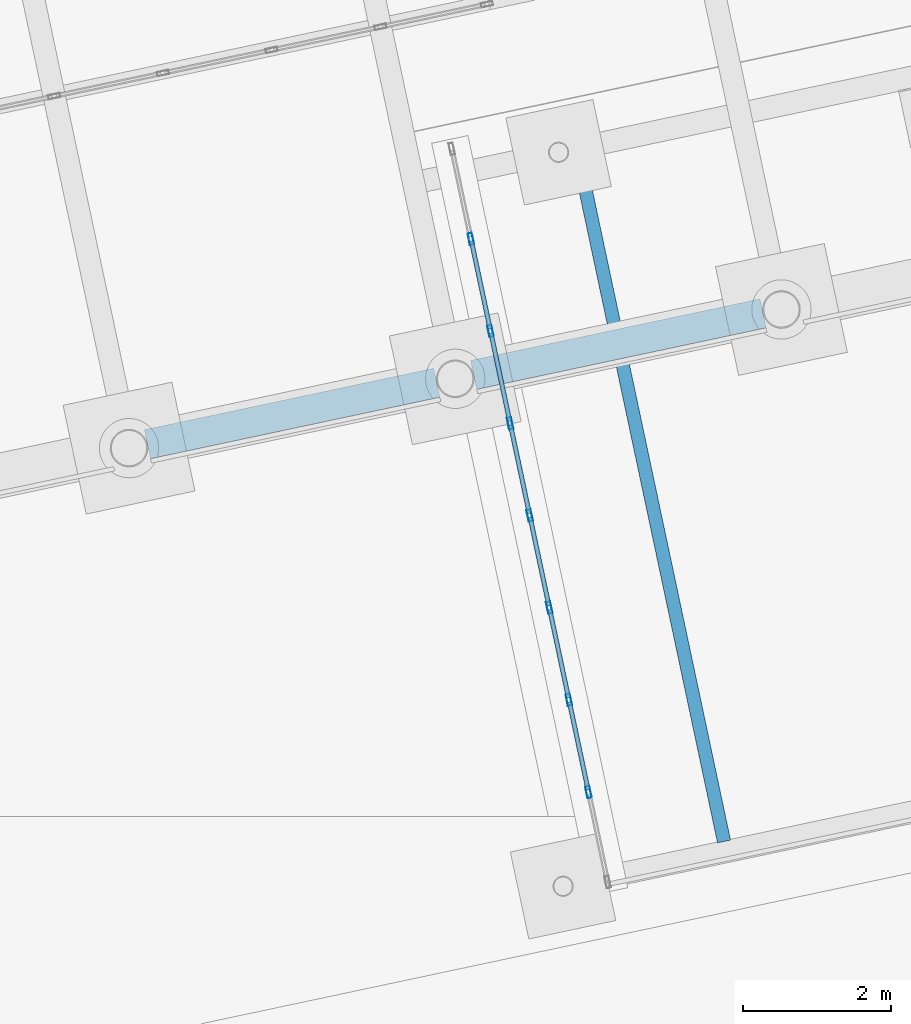
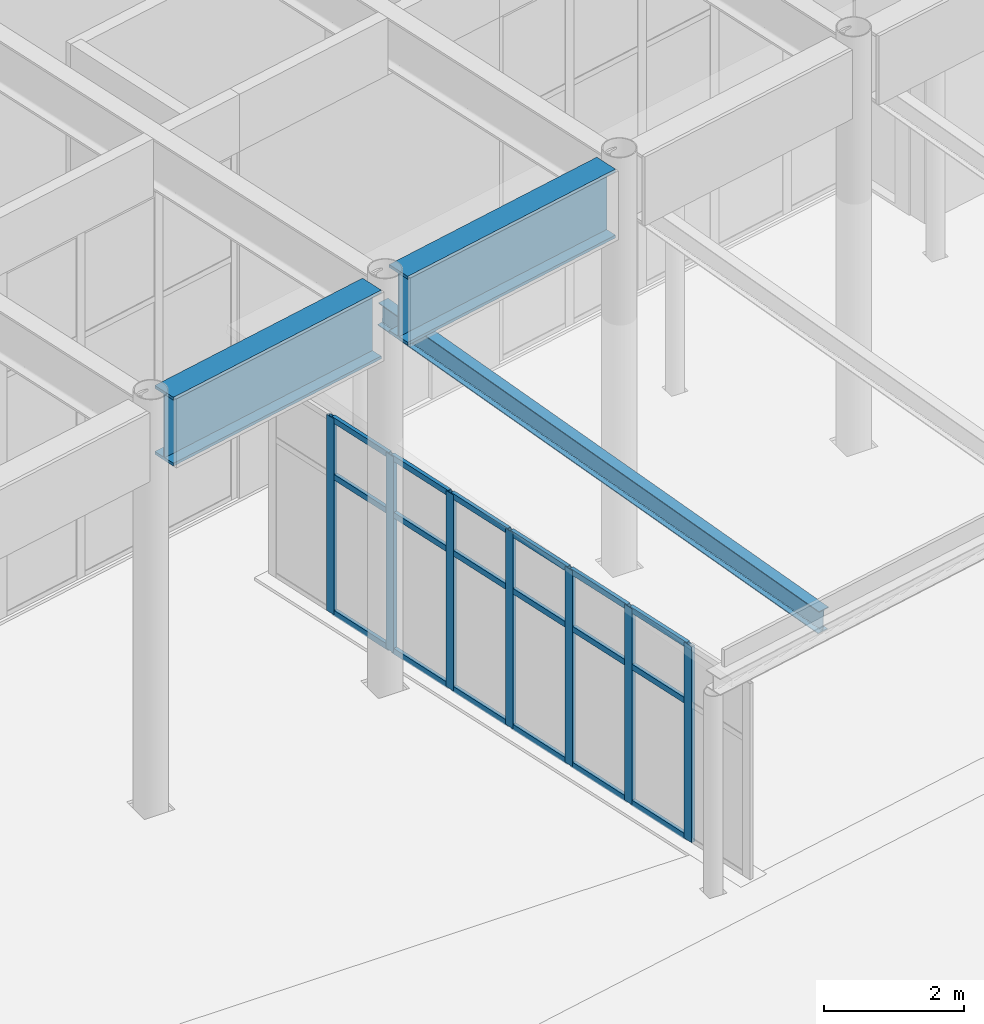
# One storey, part 65 of 239: 25 members, 3 beams, 1 element without a shape of its own.
"""IFC4 building model written with IfcOpenShell, lengths in metres."""

from ifc_helpers import new_model, si_unit, direction, frame, origin, origin_2d, place, context, subcontext, project, spatial, hollow_rectangle, i_section, extrude, material, material_profile, profile_set, type_object, element, aggregate, save


model = new_model("IFC4")

# Units and contexts
model_context = context("Model", 3, precision=1e-05, world=origin(), true_north=direction((0.0, 1.0)))
body_context = subcontext(model_context, "Body", "Model", "MODEL_VIEW")
ifc_project = project(units=[si_unit("LENGTHUNIT", "METRE"), si_unit("AREAUNIT", "SQUARE_METRE"), si_unit("VOLUMEUNIT", "CUBIC_METRE"), si_unit("PLANEANGLEUNIT", "RADIAN"), si_unit("MASSUNIT", "GRAM", prefix="KILO")], contexts=[model_context])

# Site, building, storey
site_placement = place(None, origin())
site = spatial("IfcSite", under=ifc_project, at=site_placement, CompositionType="ELEMENT")
building_placement = place(site_placement, origin())
building = spatial("IfcBuilding", under=site, at=building_placement, Name="Okhra Congress Centre", CompositionType="ELEMENT")
storey_placement = place(building_placement, origin())
storey = spatial("IfcBuildingStorey", under=building, at=storey_placement, Name="L00", CompositionType="ELEMENT", Elevation=0.0)

# Curtain wall, members
ifc_material_1 = material(Name="Aluminium curtain wall, triple glazing", Category="aluminium")
curtain_wall_type = type_object("IfcCurtainWallType", Name="Curtain wall 1200 module", PredefinedType="NOTDEFINED", material=ifc_material_1)
curtain_wall_placement = place(storey_placement, origin())
curtain_wall = element("IfcCurtainWall", 1, at=curtain_wall_placement, inside=storey, type_object=curtain_wall_type, Name="Porch glazed side 1", PredefinedType="NOTDEFINED")
ifc_material_2 = material(Name="Aluminium alloy EN AW-6063 T66", Category="aluminium")
ifc_material_profile_1 = material_profile(ifc_material_2, hollow_rectangle(XDim=0.06005859375, YDim=0.159912109375, WallThickness=0.00390625, at=origin_2d()), Name="RHS 60x160x4")
ifc_profile_set_1 = profile_set([ifc_material_profile_1], Name="Aluminium alloy EN AW-6063 T66")
member_type_1 = type_object("IfcMemberType", Name="Curtain wall mullion 60x160", PredefinedType="MULLION", material=ifc_profile_set_1)
member_1_placement = place(storey_placement, frame((124.432861328125, 34.33154296875, 0.0), z_axis=(0.0, 0.0, 1.0), x_axis=(-0.978147600734, -0.207911690818, 0.0)))
member_1 = element("IfcMember", 2, at=member_1_placement, type_object=member_type_1, Name="CW8 mullion 2", PredefinedType="MULLION", context=body_context, shape_type="SweptSolid", body=[
    extrude(hollow_rectangle(XDim=0.06005859375, YDim=0.159912109375, WallThickness=0.00390625, at=origin_2d()), origin(), (0.0, 0.0, 1.0), 3.415771484375),
])
member_2_placement = place(storey_placement, frame((124.16845703125, 35.57568359375, 0.0), z_axis=(0.0, 0.0, 1.0), x_axis=(-0.978147600734, -0.207911690818, 0.0)))
member_2 = element("IfcMember", 3, at=member_2_placement, type_object=member_type_1, Name="CW8 mullion 3", PredefinedType="MULLION", context=body_context, shape_type="SweptSolid", body=[
    extrude(hollow_rectangle(XDim=0.06005859375, YDim=0.159912109375, WallThickness=0.00390625, at=origin_2d()), origin(), (0.0, 0.0, 1.0), 3.415771484375),
])
member_3_placement = place(storey_placement, frame((123.904052734375, 36.81982421875, 0.0), z_axis=(0.0, 0.0, 1.0), x_axis=(-0.978147600734, -0.207911690818, 0.0)))
member_3 = element("IfcMember", 4, at=member_3_placement, type_object=member_type_1, Name="CW8 mullion 4", PredefinedType="MULLION", context=body_context, shape_type="SweptSolid", body=[
    extrude(hollow_rectangle(XDim=0.06005859375, YDim=0.159912109375, WallThickness=0.00390625, at=origin_2d()), origin(), (0.0, 0.0, 1.0), 3.415771484375),
])
member_4_placement = place(storey_placement, frame((123.6396484375, 38.06396484375, 0.0), z_axis=(0.0, 0.0, 1.0), x_axis=(-0.978147600734, -0.207911690818, 0.0)))
member_4 = element("IfcMember", 5, at=member_4_placement, type_object=member_type_1, Name="CW8 mullion 5", PredefinedType="MULLION", context=body_context, shape_type="SweptSolid", body=[
    extrude(hollow_rectangle(XDim=0.06005859375, YDim=0.159912109375, WallThickness=0.00390625, at=origin_2d()), origin(), (0.0, 0.0, 1.0), 3.415771484375),
])
member_5_placement = place(storey_placement, frame((123.375244140625, 39.307861328125, 0.0), z_axis=(0.0, 0.0, 1.0), x_axis=(-0.978147600734, -0.207911690818, 0.0)))
member_5 = element("IfcMember", 6, at=member_5_placement, type_object=member_type_1, Name="CW8 mullion 6", PredefinedType="MULLION", context=body_context, shape_type="SweptSolid", body=[
    extrude(hollow_rectangle(XDim=0.06005859375, YDim=0.159912109375, WallThickness=0.00390625, at=origin_2d()), origin(), (0.0, 0.0, 1.0), 3.415771484375),
])
member_6_placement = place(storey_placement, frame((123.11083984375, 40.552001953125, 0.0), z_axis=(0.0, 0.0, 1.0), x_axis=(-0.978147600734, -0.207911690818, 0.0)))
member_6 = element("IfcMember", 7, at=member_6_placement, type_object=member_type_1, Name="CW8 mullion 7", PredefinedType="MULLION", context=body_context, shape_type="SweptSolid", body=[
    extrude(hollow_rectangle(XDim=0.06005859375, YDim=0.159912109375, WallThickness=0.00390625, at=origin_2d()), origin(), (0.0, 0.0, 1.0), 3.415771484375),
])
member_7_placement = place(storey_placement, frame((122.84619140625, 41.796142578125, 0.0), z_axis=(0.0, 0.0, 1.0), x_axis=(-0.978147600734, -0.207911690818, 0.0)))
member_7 = element("IfcMember", 8, at=member_7_placement, type_object=member_type_1, Name="CW8 mullion 8", PredefinedType="MULLION", context=body_context, shape_type="SweptSolid", body=[
    extrude(hollow_rectangle(XDim=0.06005859375, YDim=0.159912109375, WallThickness=0.00390625, at=origin_2d()), origin(), (0.0, 0.0, 1.0), 3.415771484375),
])
ifc_material_profile_2 = material_profile(ifc_material_2, hollow_rectangle(XDim=0.06005859375, YDim=0.10009765625, WallThickness=0.00390625, at=origin_2d()), Name="RHS 60x100x4")
ifc_profile_set_2 = profile_set([ifc_material_profile_2], Name="Aluminium alloy EN AW-6063 T66")
member_type_2 = type_object("IfcMemberType", Name="Curtain wall transom 60x100", PredefinedType="USERDEFINED", material=ifc_profile_set_2)
member_8_placement = place(storey_placement, frame((124.4267578125, 34.361083984375, 0.030029296875), z_axis=(-0.207918995191, 0.978146048113, 0.0), x_axis=(-0.978146048113, -0.207918995191, 0.0)))
member_8 = element("IfcMember", 9, at=member_8_placement, type_object=member_type_2, Name="CW8 transom 2.1", ObjectType="TRANSOM", PredefinedType="USERDEFINED", context=body_context, shape_type="SweptSolid", body=[
    extrude(hollow_rectangle(XDim=0.06005859375, YDim=0.10009765625, WallThickness=0.00390625, at=origin_2d()), origin(), (0.0, 0.0, 1.0), 1.211669921875),
])
member_9_placement = place(storey_placement, frame((124.4267578125, 34.361083984375, 2.39990234375), z_axis=(-0.207918995191, 0.978146048113, 0.0), x_axis=(-0.978146048113, -0.207918995191, 0.0)))
member_9 = element("IfcMember", 10, at=member_9_placement, type_object=member_type_2, Name="CW8 transom 2.2", ObjectType="TRANSOM", PredefinedType="USERDEFINED", context=body_context, shape_type="SweptSolid", body=[
    extrude(hollow_rectangle(XDim=0.06005859375, YDim=0.10009765625, WallThickness=0.00390625, at=origin_2d()), origin(), (0.0, 0.0, 1.0), 1.211669921875),
])
member_10_placement = place(storey_placement, frame((124.4267578125, 34.361083984375, 3.3857421875), z_axis=(-0.207918995191, 0.978146048113, 0.0), x_axis=(-0.978146048113, -0.207918995191, 0.0)))
member_10 = element("IfcMember", 11, at=member_10_placement, type_object=member_type_2, Name="CW8 transom 2.3", ObjectType="TRANSOM", PredefinedType="USERDEFINED", context=body_context, shape_type="SweptSolid", body=[
    extrude(hollow_rectangle(XDim=0.06005859375, YDim=0.10009765625, WallThickness=0.00390625, at=origin_2d()), origin(), (0.0, 0.0, 1.0), 1.211669921875),
])
member_11_placement = place(storey_placement, frame((124.162353515625, 35.60498046875, 0.030029296875), z_axis=(-0.208070744252, 0.978113779366, 0.0), x_axis=(-0.978113779366, -0.208070744252, 0.0)))
member_11 = element("IfcMember", 12, at=member_11_placement, type_object=member_type_2, Name="CW8 transom 3.1", ObjectType="TRANSOM", PredefinedType="USERDEFINED", context=body_context, shape_type="SweptSolid", body=[
    extrude(hollow_rectangle(XDim=0.06005859375, YDim=0.10009765625, WallThickness=0.00390625, at=origin_2d()), origin(), (0.0, 0.0, 1.0), 1.212158203125),
])
member_12_placement = place(storey_placement, frame((124.162353515625, 35.60498046875, 2.39990234375), z_axis=(-0.208070744252, 0.978113779366, 0.0), x_axis=(-0.978113779366, -0.208070744252, 0.0)))
member_12 = element("IfcMember", 13, at=member_12_placement, type_object=member_type_2, Name="CW8 transom 3.2", ObjectType="TRANSOM", PredefinedType="USERDEFINED", context=body_context, shape_type="SweptSolid", body=[
    extrude(hollow_rectangle(XDim=0.06005859375, YDim=0.10009765625, WallThickness=0.00390625, at=origin_2d()), origin(), (0.0, 0.0, 1.0), 1.212158203125),
])
member_13_placement = place(storey_placement, frame((124.162353515625, 35.60498046875, 3.3857421875), z_axis=(-0.208070744252, 0.978113779366, 0.0), x_axis=(-0.978113779366, -0.208070744252, 0.0)))
member_13 = element("IfcMember", 14, at=member_13_placement, type_object=member_type_2, Name="CW8 transom 3.3", ObjectType="TRANSOM", PredefinedType="USERDEFINED", context=body_context, shape_type="SweptSolid", body=[
    extrude(hollow_rectangle(XDim=0.06005859375, YDim=0.10009765625, WallThickness=0.00390625, at=origin_2d()), origin(), (0.0, 0.0, 1.0), 1.212158203125),
])
member_14_placement = place(storey_placement, frame((123.897705078125, 36.84912109375, 0.030029296875), z_axis=(-0.207878028706, 0.978154755231, 0.0), x_axis=(-0.978154755231, -0.207878028706, 0.0)))
member_14 = element("IfcMember", 15, at=member_14_placement, type_object=member_type_2, Name="CW8 transom 4.1", ObjectType="TRANSOM", PredefinedType="USERDEFINED", context=body_context, shape_type="SweptSolid", body=[
    extrude(hollow_rectangle(XDim=0.06005859375, YDim=0.10009765625, WallThickness=0.00390625, at=origin_2d()), origin(), (0.0, 0.0, 1.0), 1.2119140625),
])
member_15_placement = place(storey_placement, frame((123.897705078125, 36.84912109375, 2.39990234375), z_axis=(-0.207878028706, 0.978154755231, 0.0), x_axis=(-0.978154755231, -0.207878028706, 0.0)))
member_15 = element("IfcMember", 16, at=member_15_placement, type_object=member_type_2, Name="CW8 transom 4.2", ObjectType="TRANSOM", PredefinedType="USERDEFINED", context=body_context, shape_type="SweptSolid", body=[
    extrude(hollow_rectangle(XDim=0.06005859375, YDim=0.10009765625, WallThickness=0.00390625, at=origin_2d()), origin(), (0.0, 0.0, 1.0), 1.2119140625),
])
member_16_placement = place(storey_placement, frame((123.897705078125, 36.84912109375, 3.3857421875), z_axis=(-0.207878028706, 0.978154755231, 0.0), x_axis=(-0.978154755231, -0.207878028706, 0.0)))
member_16 = element("IfcMember", 17, at=member_16_placement, type_object=member_type_2, Name="CW8 transom 4.3", ObjectType="TRANSOM", PredefinedType="USERDEFINED", context=body_context, shape_type="SweptSolid", body=[
    extrude(hollow_rectangle(XDim=0.06005859375, YDim=0.10009765625, WallThickness=0.00390625, at=origin_2d()), origin(), (0.0, 0.0, 1.0), 1.2119140625),
])
member_17_placement = place(storey_placement, frame((123.63330078125, 38.09326171875, 0.030029296875), z_axis=(-0.207918995191, 0.978146048113, 0.0), x_axis=(-0.978146048113, -0.207918995191, 0.0)))
member_17 = element("IfcMember", 18, at=member_17_placement, type_object=member_type_2, Name="CW8 transom 5.1", ObjectType="TRANSOM", PredefinedType="USERDEFINED", context=body_context, shape_type="SweptSolid", body=[
    extrude(hollow_rectangle(XDim=0.06005859375, YDim=0.10009765625, WallThickness=0.00390625, at=origin_2d()), origin(), (0.0, 0.0, 1.0), 1.211669921875),
])
member_18_placement = place(storey_placement, frame((123.63330078125, 38.09326171875, 2.39990234375), z_axis=(-0.207918995191, 0.978146048113, 0.0), x_axis=(-0.978146048113, -0.207918995191, 0.0)))
member_18 = element("IfcMember", 19, at=member_18_placement, type_object=member_type_2, Name="CW8 transom 5.2", ObjectType="TRANSOM", PredefinedType="USERDEFINED", context=body_context, shape_type="SweptSolid", body=[
    extrude(hollow_rectangle(XDim=0.06005859375, YDim=0.10009765625, WallThickness=0.00390625, at=origin_2d()), origin(), (0.0, 0.0, 1.0), 1.211669921875),
])
member_19_placement = place(storey_placement, frame((123.63330078125, 38.09326171875, 3.3857421875), z_axis=(-0.207918995191, 0.978146048113, 0.0), x_axis=(-0.978146048113, -0.207918995191, 0.0)))
member_19 = element("IfcMember", 20, at=member_19_placement, type_object=member_type_2, Name="CW8 transom 5.3", ObjectType="TRANSOM", PredefinedType="USERDEFINED", context=body_context, shape_type="SweptSolid", body=[
    extrude(hollow_rectangle(XDim=0.06005859375, YDim=0.10009765625, WallThickness=0.00390625, at=origin_2d()), origin(), (0.0, 0.0, 1.0), 1.211669921875),
])
member_20_placement = place(storey_placement, frame((123.368896484375, 39.33740234375, 0.030029296875), z_axis=(-0.207918995191, 0.978146048113, 0.0), x_axis=(-0.978146048113, -0.207918995191, 0.0)))
member_20 = element("IfcMember", 21, at=member_20_placement, type_object=member_type_2, Name="CW8 transom 6.1", ObjectType="TRANSOM", PredefinedType="USERDEFINED", context=body_context, shape_type="SweptSolid", body=[
    extrude(hollow_rectangle(XDim=0.06005859375, YDim=0.10009765625, WallThickness=0.00390625, at=origin_2d()), origin(), (0.0, 0.0, 1.0), 1.211669921875),
])
member_21_placement = place(storey_placement, frame((123.368896484375, 39.33740234375, 2.39990234375), z_axis=(-0.207918995191, 0.978146048113, 0.0), x_axis=(-0.978146048113, -0.207918995191, 0.0)))
member_21 = element("IfcMember", 22, at=member_21_placement, type_object=member_type_2, Name="CW8 transom 6.2", ObjectType="TRANSOM", PredefinedType="USERDEFINED", context=body_context, shape_type="SweptSolid", body=[
    extrude(hollow_rectangle(XDim=0.06005859375, YDim=0.10009765625, WallThickness=0.00390625, at=origin_2d()), origin(), (0.0, 0.0, 1.0), 1.211669921875),
])
member_22_placement = place(storey_placement, frame((123.368896484375, 39.33740234375, 3.3857421875), z_axis=(-0.207918995191, 0.978146048113, 0.0), x_axis=(-0.978146048113, -0.207918995191, 0.0)))
member_22 = element("IfcMember", 23, at=member_22_placement, type_object=member_type_2, Name="CW8 transom 6.3", ObjectType="TRANSOM", PredefinedType="USERDEFINED", context=body_context, shape_type="SweptSolid", body=[
    extrude(hollow_rectangle(XDim=0.06005859375, YDim=0.10009765625, WallThickness=0.00390625, at=origin_2d()), origin(), (0.0, 0.0, 1.0), 1.211669921875),
])
member_23_placement = place(storey_placement, frame((123.1044921875, 40.581298828125, 0.030029296875), z_axis=(-0.207878028706, 0.978154755231, 0.0), x_axis=(-0.978154755231, -0.207878028706, 0.0)))
member_23 = element("IfcMember", 24, at=member_23_placement, type_object=member_type_2, Name="CW8 transom 7.1", ObjectType="TRANSOM", PredefinedType="USERDEFINED", context=body_context, shape_type="SweptSolid", body=[
    extrude(hollow_rectangle(XDim=0.06005859375, YDim=0.10009765625, WallThickness=0.00390625, at=origin_2d()), origin(), (0.0, 0.0, 1.0), 1.2119140625),
])
member_24_placement = place(storey_placement, frame((123.1044921875, 40.581298828125, 2.39990234375), z_axis=(-0.207878028706, 0.978154755231, 0.0), x_axis=(-0.978154755231, -0.207878028706, 0.0)))
member_24 = element("IfcMember", 25, at=member_24_placement, type_object=member_type_2, Name="CW8 transom 7.2", ObjectType="TRANSOM", PredefinedType="USERDEFINED", context=body_context, shape_type="SweptSolid", body=[
    extrude(hollow_rectangle(XDim=0.06005859375, YDim=0.10009765625, WallThickness=0.00390625, at=origin_2d()), origin(), (0.0, 0.0, 1.0), 1.2119140625),
])
member_25_placement = place(storey_placement, frame((123.1044921875, 40.581298828125, 3.3857421875), z_axis=(-0.207878028706, 0.978154755231, 0.0), x_axis=(-0.978154755231, -0.207878028706, 0.0)))
member_25 = element("IfcMember", 26, at=member_25_placement, type_object=member_type_2, Name="CW8 transom 7.3", ObjectType="TRANSOM", PredefinedType="USERDEFINED", context=body_context, shape_type="SweptSolid", body=[
    extrude(hollow_rectangle(XDim=0.06005859375, YDim=0.10009765625, WallThickness=0.00390625, at=origin_2d()), origin(), (0.0, 0.0, 1.0), 1.2119140625),
])
aggregate(curtain_wall, [member_1, member_2, member_3, member_4, member_5, member_6, member_7, member_8, member_9, member_10, member_11, member_12, member_13, member_14, member_15, member_16, member_17, member_18, member_19, member_20, member_21, member_22, member_23, member_24, member_25])

# Beams
ifc_material_3 = material(Name="Steel S355J2", Category="steel")
ifc_material_profile_3 = material_profile(ifc_material_3, i_section(OverallWidth=0.39990234375, OverallDepth=1.199951171875, WebThickness=0.02490234375, FlangeThickness=0.050048828125, at=origin_2d()), Name="Plate girder 1200x400")
ifc_profile_set_3 = profile_set([ifc_material_profile_3], Name="Steel S355J2")
beam_type_1 = type_object("IfcBeamType", Name="Perimeter plate girder 1200x400", PredefinedType="BEAM", material=ifc_profile_set_3)
for number, where, z_axis, x_axis, name in (
    (27, (118.48095703125, 39.02490234375, 6.449951171875), (0.978142994281, 0.207933361295, 0.0), (-0.207933361295, 0.978142994281, 0.0), "Perimeter girder S11"),
    (28, (122.8828125, 39.96044921875, 6.449951171875), (0.978142994281, 0.207933361295, 0.0), (-0.207933361295, 0.978142994281, 0.0), "Perimeter girder S12"),
):
    element("IfcBeam", number, at=place(storey_placement, frame(where, z_axis=z_axis, x_axis=x_axis)), inside=storey, type_object=beam_type_1, Name=name, PredefinedType="BEAM", context=body_context, shape_type="SweptSolid", body=[
        extrude(i_section(OverallWidth=0.39990234375, OverallDepth=1.199951171875, WebThickness=0.02490234375, FlangeThickness=0.050048828125, at=origin_2d()), origin(), (0.0, 0.0, 1.0), 3.991943359375),
    ])
ifc_material_profile_4 = material_profile(ifc_material_3, i_section(OverallWidth=0.179931640625, OverallDepth=0.39990234375, WebThickness=0.008544921875, FlangeThickness=0.013427734375, FilletRadius=0.02099609375, at=origin_2d()), Name="IPE 400")
ifc_profile_set_4 = profile_set([ifc_material_profile_4], Name="Steel S355J2")
beam_type_2 = type_object("IfcBeamType", Name="Porch roof beam IPE 400", PredefinedType="BEAM", material=ifc_profile_set_4)
beam_placement = place(storey_placement, frame((126.25927734375, 33.675048828125, 3.57861328125), z_axis=(-0.207619145346, 0.976808526175, 0.052339217403), x_axis=(-0.978149212857, -0.207904106232, 0.0)))
element("IfcBeam", 29, at=beam_placement, inside=storey, type_object=beam_type_2, Name="Porch roof beam 1", PredefinedType="BEAM", context=body_context, shape_type="SweptSolid", body=[
    extrude(i_section(OverallWidth=0.179931640625, OverallDepth=0.39990234375, WebThickness=0.008544921875, FlangeThickness=0.013427734375, FilletRadius=0.02099609375, at=origin_2d()), origin(), (0.0, 0.0, 1.0), 9.4130859375),
])

save(model, "model.ifc")
